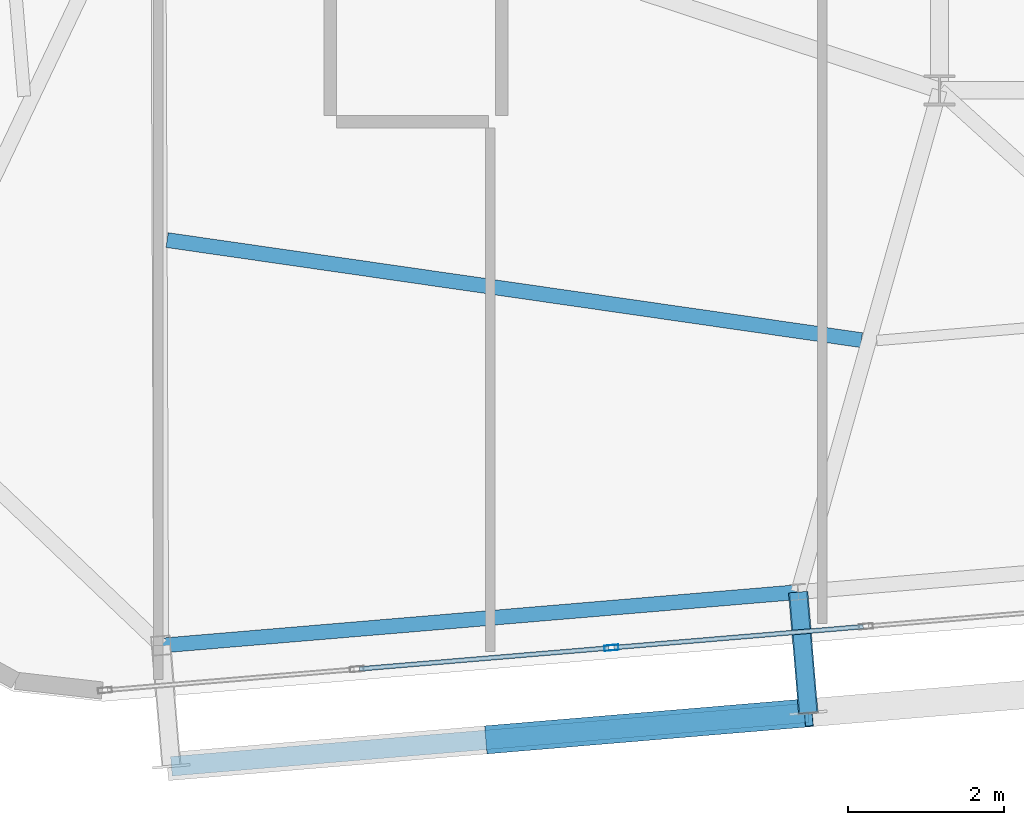
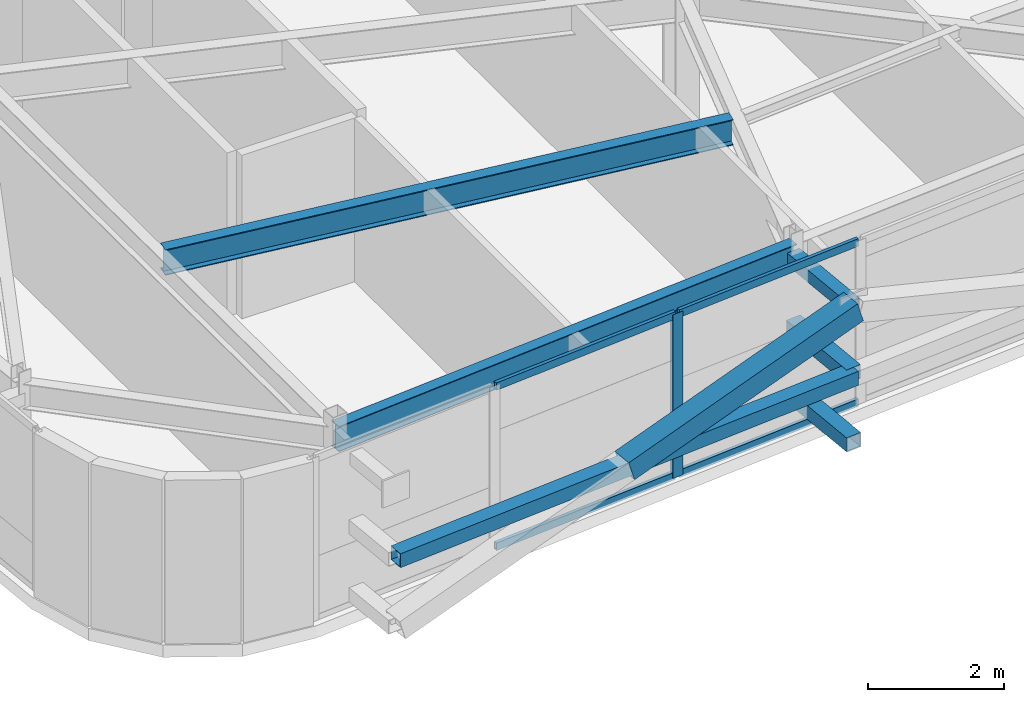
# One storey, part 8 of 44: 10 members, 2 beams, 1 element without a shape of its own.
"""IFC4 building model written with IfcOpenShell, lengths in metres."""

import ifcopenshell
import ifcopenshell.guid

model = None  # the IFC model being written
_history = None  # IfcOwnerHistory: only IFC2X3 demands one
_inside = {}  # id of a spatial element -> (the spatial element, [elements in it])
_under = {}  # id of a project, library or spatial element -> (it, [spatial elements below it])
_declared = {}  # id of a project -> (the project, [libraries it declares])
_typed = {}  # id of a type object -> (the type object, [elements of that type])
_made_of = {}  # id of a material, layer set ... -> (it, [elements and type objects made of it])


def new_model(schema):
    """Start an empty IFC model of exactly this schema.

    Asked for "IFC4X3", IfcOpenShell would pick the latest addendum, in which some entities
    have other attributes; the version numbers below select the first issue.
    IFC2X3 requires an IfcOwnerHistory on every rooted entity: one is made here for all.
    """
    global model, _history
    if schema == "IFC4X3":
        model = ifcopenshell.file(schema_version=(4, 3, 0, 0))
    else:
        model = ifcopenshell.file(schema=schema)
    _inside.clear()
    _under.clear()
    _declared.clear()
    _typed.clear()
    _made_of.clear()
    _history = None
    if model.schema == "IFC2X3":
        org = make("IfcOrganization", Name="unknown")
        user = make(
            "IfcPersonAndOrganization",
            ThePerson=make("IfcPerson", FamilyName="unknown"),
            TheOrganization=org,
        )
        app = make(
            "IfcApplication",
            ApplicationDeveloper=org,
            Version="unknown",
            ApplicationFullName="unknown",
            ApplicationIdentifier="unknown",
        )
        _history = make(
            "IfcOwnerHistory",
            OwningUser=user,
            OwningApplication=app,
            ChangeAction="ADDED",
            CreationDate=0,
        )
    return model


def make(cls, **values):
    """One entity of the class cls with the attributes given. An attribute that is None is left unset."""
    return model.create_entity(
        cls, **{name: value for name, value in values.items() if value is not None}
    )


def rooted(cls, **values):
    """An entity with a GlobalId (a new one), such as an element, a storey or a relation."""
    return make(cls, GlobalId=ifcopenshell.guid.new(), OwnerHistory=_history, **values)


def si_unit(unit_type, name, prefix=None):
    """IfcSIUnit, for example si_unit("LENGTHUNIT", "METRE", prefix="MILLI")."""
    return make("IfcSIUnit", UnitType=unit_type, Prefix=prefix, Name=name)


def assignment(units):
    """IfcUnitAssignment: the units of a project."""
    return None if units is None else make("IfcUnitAssignment", Units=units)


def point(xyz):
    """IfcCartesianPoint."""
    return None if xyz is None else make("IfcCartesianPoint", Coordinates=xyz)


def direction(xyz):
    """IfcDirection."""
    return None if xyz is None else make("IfcDirection", DirectionRatios=xyz)


def frame(location, z_axis=None, x_axis=None):
    """IfcAxis2Placement3D, a coordinate frame: its origin and axes. An axis left out is left unset."""
    return make(
        "IfcAxis2Placement3D",
        Location=point(location),
        Axis=direction(z_axis),
        RefDirection=direction(x_axis),
    )


def frame_2d(location, x_axis=None):
    """IfcAxis2Placement2D, a coordinate frame in the plane: its origin and x axis."""
    return make(
        "IfcAxis2Placement2D", Location=point(location), RefDirection=direction(x_axis)
    )


def origin():
    """The frame at (0, 0, 0) with its axes left unset."""
    return frame((0.0, 0.0, 0.0))


def origin_2d():
    """The frame at (0, 0) in the plane with its x axis left unset."""
    return frame_2d((0.0, 0.0))


def place(relative_to, where):
    """IfcLocalPlacement: puts the frame where relative to a parent placement (None: the world)."""
    return make(
        "IfcLocalPlacement", PlacementRelTo=relative_to, RelativePlacement=where
    )


def context(
    kind, dimensions, precision=None, world=None, true_north=None, identifier=None
):
    """IfcGeometricRepresentationContext, for example the 3D "Model" context."""
    return make(
        "IfcGeometricRepresentationContext",
        ContextIdentifier=identifier,
        ContextType=kind,
        CoordinateSpaceDimension=dimensions,
        Precision=precision,
        WorldCoordinateSystem=world,
        TrueNorth=true_north,
    )


def subcontext(parent, identifier, kind, view, scale=None):
    """IfcGeometricRepresentationSubContext, for example "Body" below "Model"."""
    return make(
        "IfcGeometricRepresentationSubContext",
        ContextIdentifier=identifier,
        ContextType=kind,
        ParentContext=parent,
        TargetScale=scale,
        TargetView=view,
    )


def project(units=None, contexts=None):
    """IfcProject with its units and contexts."""
    return rooted(
        "IfcProject",
        Name="project",
        RepresentationContexts=contexts,
        UnitsInContext=assignment(units),
    )


def spatial(cls, under=None, at=None, **own):
    """A site, building, storey or space (cls), placed at a placement, below another one or the project."""
    s = rooted(cls, ObjectPlacement=at, **own)
    if under is not None:
        _under.setdefault(under.id(), (under, []))[1].append(s)
    return s


def profile(cls, at=None, kind="AREA", **sizes):
    """A parametric profile (cls). Its sizes go by their IFC names, for example OverallWidth=200.0."""
    return make(cls, ProfileType=kind, Position=at, **sizes)


def hollow_rectangle(**sizes):
    """IfcRectangleHollowProfileDef."""
    return profile("IfcRectangleHollowProfileDef", **sizes)


def i_section(**sizes):
    """IfcIShapeProfileDef."""
    return profile("IfcIShapeProfileDef", **sizes)


def extrude(swept, where, along, depth):
    """IfcExtrudedAreaSolid: the profile swept, set in the frame where, extruded along a direction by depth."""
    return make(
        "IfcExtrudedAreaSolid",
        SweptArea=swept,
        Position=where,
        ExtrudedDirection=direction(along),
        Depth=depth,
    )


def shape(context_of_items, identifier, shape_type, items):
    """IfcShapeRepresentation: the items that make up one representation, for example the "Body"."""
    return make(
        "IfcShapeRepresentation",
        ContextOfItems=context_of_items,
        RepresentationIdentifier=identifier,
        RepresentationType=shape_type,
        Items=items,
    )


def source(mapping_origin, context_of_items, identifier, shape_type, items):
    """IfcRepresentationMap: a shape defined once, which mapped items show again and again."""
    return make(
        "IfcRepresentationMap",
        MappingOrigin=mapping_origin,
        MappedRepresentation=shape(context_of_items, identifier, shape_type, items),
    )


def transform(
    local_origin,
    x_axis=None,
    y_axis=None,
    z_axis=None,
    scale=None,
    scale2=None,
    scale3=None,
    uniform=True,
):
    """IfcCartesianTransformationOperator3D, or its non-uniform kind. x_axis, y_axis, z_axis: its Axis1, 2, 3."""
    if uniform:
        return make(
            "IfcCartesianTransformationOperator3D",
            Axis1=direction(x_axis),
            Axis2=direction(y_axis),
            LocalOrigin=point(local_origin),
            Scale=scale,
            Axis3=direction(z_axis),
        )
    return make(
        "IfcCartesianTransformationOperator3DnonUniform",
        Axis1=direction(x_axis),
        Axis2=direction(y_axis),
        LocalOrigin=point(local_origin),
        Scale=scale,
        Axis3=direction(z_axis),
        Scale2=scale2,
        Scale3=scale3,
    )


def mapped(mapping_source, mapping_target):
    """IfcMappedItem: shows the shape of a source again, moved by a transform."""
    return make(
        "IfcMappedItem", MappingSource=mapping_source, MappingTarget=mapping_target
    )


def material(Name=None, Category=None):
    """IfcMaterial."""
    return make("IfcMaterial", Name=Name, Category=Category)


def layer(
    of_material, thickness, ventilated=None, Name=None, Category=None, Priority=None
):
    """IfcMaterialLayer: one layer of a wall or slab, of a material (None: an air gap)."""
    return make(
        "IfcMaterialLayer",
        Material=of_material,
        LayerThickness=thickness,
        IsVentilated=ventilated,
        Name=Name,
        Category=Category,
        Priority=Priority,
    )


def layer_set(layers, Name=None):
    """IfcMaterialLayerSet."""
    return make("IfcMaterialLayerSet", MaterialLayers=layers, LayerSetName=Name)


def material_profile(
    of_material, cross_section, Name=None, Category=None, Priority=None
):
    """IfcMaterialProfile: a cross section and its material."""
    return make(
        "IfcMaterialProfile",
        Name=Name,
        Material=of_material,
        Profile=cross_section,
        Priority=Priority,
        Category=Category,
    )


def profile_set(profiles, Name=None, composite=None):
    """IfcMaterialProfileSet."""
    return make(
        "IfcMaterialProfileSet",
        Name=Name,
        MaterialProfiles=profiles,
        CompositeProfile=composite,
    )


def made_of(thing, what):
    """Note that an element or type object is made of a material, layer set ...; save() writes the relation."""
    if what is not None:
        _made_of.setdefault(what.id(), (what, []))[1].append(thing)
    return thing


def type_object(cls, material=None, **own):
    """A type object (cls), such as IfcWallType, which elements share."""
    return made_of(rooted(cls, **own), material)


def element(
    cls,
    number,
    at=None,
    inside=None,
    cuts=None,
    type_object=None,
    material=None,
    context=None,
    identifier="Body",
    shape_type=None,
    held_by="IfcProductDefinitionShape",
    body=None,
    shapes=None,
    **own,
):
    """One element of the class cls, such as IfcWall. Its Tag is "e" and its number.

    at: its placement. inside: the storey or other place that contains it. cuts: it is an
    opening in that element (IfcRelVoidsElement). A single representation is given by context,
    identifier, shape_type and body (its items); several are given by shapes. held_by: the class
    of the entity that holds the representations. save() writes the other relations.
    """
    e = rooted(cls, Tag="e%d" % number, ObjectPlacement=at, **own)
    if body is not None:
        shapes = [shape(context, identifier, shape_type, body)]
    if shapes is not None:
        e.Representation = make(held_by, Representations=shapes)
    if inside is not None:
        _inside.setdefault(inside.id(), (inside, []))[1].append(e)
    if cuts is not None:
        rooted(
            "IfcRelVoidsElement", RelatingBuildingElement=cuts, RelatedOpeningElement=e
        )
    if type_object is not None:
        _typed.setdefault(type_object.id(), (type_object, []))[1].append(e)
    return made_of(e, material)


def aggregate(whole, parts):
    """IfcRelAggregates: a whole, such as a stair, and the parts it consists of."""
    return rooted("IfcRelAggregates", RelatingObject=whole, RelatedObjects=parts)


def save(model, path):
    """Write the relations noted so far, then the file.

    IfcRelAggregates (storeys below a building ...), IfcRelContainedInSpatialStructure (elements
    in a storey), IfcRelDefinesByType, IfcRelAssociatesMaterial and IfcRelDeclares: one each for
    every whole, place, type object, material and project.
    """
    for whole, parts in _under.values():
        aggregate(whole, parts)
    for where, things in _inside.values():
        rooted(
            "IfcRelContainedInSpatialStructure",
            RelatedElements=things,
            RelatingStructure=where,
        )
    for kind, things in _typed.values():
        rooted("IfcRelDefinesByType", RelatedObjects=things, RelatingType=kind)
    for what, things in _made_of.values():
        rooted("IfcRelAssociatesMaterial", RelatedObjects=things, RelatingMaterial=what)
    for by, libraries in _declared.values():
        rooted("IfcRelDeclares", RelatingContext=by, RelatedDefinitions=libraries)
    model.write(path)


model = new_model("IFC4")

# Units and contexts
model_context = context("Model", 3, precision=1e-05, world=origin(), true_north=direction((0.0, 1.0)))
body_context = subcontext(model_context, "Body", "Model", "MODEL_VIEW")
ifc_project = project(units=[si_unit("LENGTHUNIT", "METRE"), si_unit("AREAUNIT", "SQUARE_METRE"), si_unit("VOLUMEUNIT", "CUBIC_METRE"), si_unit("PLANEANGLEUNIT", "RADIAN"), si_unit("MASSUNIT", "GRAM", prefix="KILO")], contexts=[model_context])

# Site, building, storey
site_placement = place(None, origin())
site = spatial("IfcSite", under=ifc_project, at=site_placement, CompositionType="ELEMENT")
building_placement = place(site_placement, origin())
building = spatial("IfcBuilding", under=site, at=building_placement, Name="Taldren Reach Tower", CompositionType="ELEMENT")
storey_placement = place(building_placement, frame((0.0, 0.0, 191.449951171875)))
storey = spatial("IfcBuildingStorey", under=building, at=storey_placement, Name="L58", CompositionType="ELEMENT", Elevation=191.449951171875)

# Members
ifc_material_1 = material(Name="Steel Gr 350 (C350L0)", Category="steel")
ifc_material_profile_1 = material_profile(ifc_material_1, hollow_rectangle(XDim=0.25, YDim=0.25, WallThickness=0.010009765625, at=origin_2d()), Name="250x250x10.0SHS")
ifc_profile_set_1 = profile_set([ifc_material_profile_1], Name="Steel Gr 350 (C350L0)")
member_type_1 = type_object("IfcMemberType", Name="MB-POST250", PredefinedType="POST", material=ifc_profile_set_1)
shared_shape_1 = source(origin(), body_context, "Body", "SweptSolid", [
    extrude(hollow_rectangle(XDim=0.25, YDim=0.25, WallThickness=0.010009765625, at=origin_2d()), origin(), (0.0, 0.0, 1.0), 1.550048828125),
])
for number, where, z_axis, x_axis, name in (
    (1, (26.19091796875, 2.778564453125, 0.219970703125), (0.083632013783, -0.996496706603, 0.0), (0.996496706603, 0.083632013783, 0.0), "Exoskeleton base diaphragm tie strut B4-S2 L58"),
    (2, (26.19091796875, 2.778564453125, 1.43505859375), (0.083632013783, -0.996496706603, 0.0), (0.996496706603, 0.083632013783, 0.0), "Exoskeleton mid-tier diaphragm tie B4-S2 L58"),
):
    element("IfcMember", number, at=place(storey_placement, frame(where, z_axis=z_axis, x_axis=x_axis)), inside=storey, type_object=member_type_1, Name=name, PredefinedType="POST", context=body_context, shape_type="MappedRepresentation", body=[
        mapped(shared_shape_1, transform((0.0, 0.0, 0.0), scale=1.0)),
    ])

# Beams
ifc_material_2 = material(Name="Steel Gr 350 (350PLUS)", Category="steel")
ifc_material_profile_2 = material_profile(ifc_material_2, i_section(OverallWidth=0.18994140625, OverallDepth=0.4541015625, WebThickness=0.008544921875, FlangeThickness=0.0126953125, at=origin_2d()), Name="460UB67.1")
ifc_profile_set_2 = profile_set([ifc_material_profile_2], Name="Steel Gr 350 (350PLUS)")
beam_type_1 = type_object("IfcBeamType", Name="SP-UB460B", PredefinedType="SPANDREL", material=ifc_profile_set_2)
shared_shape_2 = source(origin(), body_context, "Body", "SweptSolid", [
    extrude(i_section(OverallWidth=0.18994140625, OverallDepth=0.4541015625, WebThickness=0.008544921875, FlangeThickness=0.0126953125, at=origin_2d()), origin(), (0.0, 0.0, 1.0), 8.18017578125),
])
beam_1_placement = place(storey_placement, frame((18.03955078125, 2.093994140625, 2.703125), z_axis=(0.996492034688, 0.083687662192, 0.0), x_axis=(-0.083687662192, 0.996492034688, 0.0)))
element("IfcBeam", 3, at=beam_1_placement, inside=storey, type_object=beam_type_1, Name="Perimeter spandrel B4 S1-S2 L58", PredefinedType="SPANDREL", context=body_context, shape_type="MappedRepresentation", body=[
    mapped(shared_shape_2, transform((0.0, 0.0, 0.0), scale=1.0)),
])
ifc_material_profile_3 = material_profile(ifc_material_2, i_section(OverallWidth=0.19091796875, OverallDepth=0.4599609375, WebThickness=0.010009765625, FlangeThickness=0.01611328125, at=origin_2d()), Name="460UB82.1")
ifc_profile_set_3 = profile_set([ifc_material_profile_3], Name="Steel Gr 350 (350PLUS)")
beam_type_2 = type_object("IfcBeamType", Name="BM-UB460A", PredefinedType="BEAM", material=ifc_profile_set_3)
shared_shape_3 = source(origin(), body_context, "Body", "SweptSolid", [
    extrude(i_section(OverallWidth=0.19091796875, OverallDepth=0.4599609375, WebThickness=0.010009765625, FlangeThickness=0.01611328125, at=origin_2d()), origin(), (0.0, 0.0, 1.0), 8.9765625),
])
beam_2_placement = place(storey_placement, frame((18.115478515625, 7.283203125, 2.699951171875), z_axis=(0.989776873291, -0.142624475806, 0.0), x_axis=(0.142624475806, 0.989776873291, 0.0)))
element("IfcBeam", 4, at=beam_2_placement, inside=storey, type_object=beam_type_2, Name="Secondary floor beam B4 J1 L58", PredefinedType="BEAM", context=body_context, shape_type="MappedRepresentation", body=[
    mapped(shared_shape_3, transform((0.0, 0.0, 0.0), scale=1.0)),
])

# Members
ifc_material_3 = material(Name="Steel Gr 450 (C450L0)", Category="steel")
ifc_material_profile_4 = material_profile(ifc_material_3, hollow_rectangle(XDim=0.219970703125, YDim=0.219970703125, WallThickness=0.00830078125, at=origin_2d()), Name="220x220x8.2SHS")
ifc_profile_set_4 = profile_set([ifc_material_profile_4], Name="Steel Gr 450 (C450L0)")
member_type_2 = type_object("IfcMemberType", Name="MB-TIE219", PredefinedType="STRUT", material=ifc_profile_set_4)
shared_shape_4 = source(origin(), body_context, "Body", "SweptSolid", [
    extrude(hollow_rectangle(XDim=0.219970703125, YDim=0.219970703125, WallThickness=0.00830078125, at=origin_2d()), origin(), (0.0, 0.0, 1.0), 1.550048828125),
])
member_1_placement = place(storey_placement, frame((26.19091796875, 2.778564453125, 2.650146484375), z_axis=(0.083632013783, -0.996496706603, 0.0), x_axis=(0.996496706603, 0.083632013783, 0.0)))
element("IfcMember", 5, at=member_1_placement, inside=storey, type_object=member_type_2, Name="Exoskeleton diaphragm tie strut B4-S2 L58", PredefinedType="STRUT", context=body_context, shape_type="MappedRepresentation", body=[
    mapped(shared_shape_4, transform((0.0, 0.0, 0.0), scale=1.0)),
])
shared_shape_5 = source(origin(), body_context, "Body", "SweptSolid", [
    extrude(hollow_rectangle(XDim=0.25, YDim=0.25, WallThickness=0.010009765625, at=origin_2d()), origin(), (0.0, 0.0, 1.0), 8.1796875),
])
member_2_placement = place(storey_placement, frame((18.16943359375, 0.549560546875, 1.43505859375), z_axis=(0.996494314327, 0.083660513465, 0.0), x_axis=(-0.083660513465, 0.996494314327, 0.0)))
element("IfcMember", 6, at=member_2_placement, inside=storey, type_object=member_type_1, Name="Exoskeleton mid-height ring chord B4-S1 L58", PredefinedType="POST", context=body_context, shape_type="MappedRepresentation", body=[
    mapped(shared_shape_5, transform((0.0, 0.0, 0.0), scale=1.0)),
])
ifc_material_profile_5 = material_profile(ifc_material_3, hollow_rectangle(XDim=0.360107421875, YDim=0.360107421875, WallThickness=0.0126953125, at=origin_2d()), Name="360x360x12.7SHS")
ifc_profile_set_5 = profile_set([ifc_material_profile_5], Name="Steel Gr 450 (C450L0)")
member_type_3 = type_object("IfcMemberType", Name="MB-EXO356", PredefinedType="BRACE", material=ifc_profile_set_5)
shared_shape_6 = source(origin(), body_context, "Body", "SweptSolid", [
    extrude(hollow_rectangle(XDim=0.360107421875, YDim=0.360107421875, WallThickness=0.0126953125, at=origin_2d()), origin(), (0.0, 0.0, 1.0), 4.266357421875),
])
member_3_placement = place(storey_placement, frame((22.2451171875, 0.8916015625, 1.43505859375), z_axis=(0.955224149813, 0.080226697301, 0.284799053113), x_axis=(-0.083692640416, 0.996491616593, 0.0)))
element("IfcMember", 7, at=member_3_placement, inside=storey, type_object=member_type_3, Name="Exoskeleton Diagrid Brace B4-S1 L58", PredefinedType="BRACE", context=body_context, shape_type="MappedRepresentation", body=[
    mapped(shared_shape_6, transform((0.0, 0.0, 0.0), scale=1.0)),
])

# Curtain wall, members
ifc_material_4 = material(Name="Aluminium and Low-E Glass Unitised System", Category="aluminium")
ifc_layer = layer(ifc_material_4, 0.159912109375)
ifc_layer_set = layer_set([ifc_layer], Name="Aluminium and Low-E Glass Unitised System")
curtain_wall_type = type_object("IfcCurtainWallType", Name="CW-SYS-5", PredefinedType="NOTDEFINED", material=ifc_layer_set)
curtain_wall_placement = place(storey_placement, origin())
curtain_wall = element("IfcCurtainWall", 8, at=curtain_wall_placement, inside=storey, type_object=curtain_wall_type, Name="Unitised curtain wall CW-L58-S", PredefinedType="NOTDEFINED")
ifc_material_5 = material(Name="Anodised Aluminium 6063-T6", Category="aluminium")
ifc_material_profile_6 = material_profile(ifc_material_5, hollow_rectangle(XDim=0.070068359375, YDim=0.179931640625, WallThickness=0.00390625, at=origin_2d()), Name="ALU-180x70x4RHS")
ifc_profile_set_6 = profile_set([ifc_material_profile_6], Name="Anodised Aluminium 6063-T6")
member_type_4 = type_object("IfcMemberType", Name="CW-MUL-180", PredefinedType="MULLION", material=ifc_profile_set_6)
shared_shape_7 = source(origin(), body_context, "Body", "SweptSolid", [
    extrude(hollow_rectangle(XDim=0.070068359375, YDim=0.179931640625, WallThickness=0.00390625, at=origin_2d()), origin(), (0.0, 0.0, 1.0), 2.929931640625),
])
member_4_placement = place(storey_placement, frame((23.80078125, 2.06591796875, 0.0), z_axis=(0.0, 0.0, 1.0), x_axis=(-0.083677894865, 0.996492854922, 0.0)))
member_4 = element("IfcMember", 9, at=member_4_placement, type_object=member_type_4, Name="CW-5 mullion 3", PredefinedType="MULLION", context=body_context, shape_type="MappedRepresentation", body=[
    mapped(shared_shape_7, transform((0.0, 0.0, 0.0), scale=1.0)),
])
ifc_material_profile_7 = material_profile(ifc_material_5, hollow_rectangle(XDim=0.06005859375, YDim=0.135009765625, WallThickness=0.00341796875, at=origin_2d()), Name="ALU-135x60x3.5RHS")
ifc_profile_set_7 = profile_set([ifc_material_profile_7], Name="Anodised Aluminium 6063-T6")
member_type_5 = type_object("IfcMemberType", Name="CW-TRN-150", PredefinedType="USERDEFINED", material=ifc_profile_set_7)
shared_shape_8 = source(origin(), body_context, "Body", "SweptSolid", [
    extrude(hollow_rectangle(XDim=0.06005859375, YDim=0.135009765625, WallThickness=0.00341796875, at=origin_2d()), origin(), (0.0, 0.0, 1.0), 3.19921875),
])
member_5_placement = place(storey_placement, frame((20.577880859375, 1.79541015625, 0.030029296875), z_axis=(0.996496109493, 0.083639128198, 0.0), x_axis=(-0.083639128198, 0.996496109493, 0.0)))
member_5 = element("IfcMember", 10, at=member_5_placement, type_object=member_type_5, Name="CW-5 transom 2.1", ObjectType="TRANSOM", PredefinedType="USERDEFINED", context=body_context, shape_type="MappedRepresentation", body=[
    mapped(shared_shape_8, transform((0.0, 0.0, 0.0), scale=1.0)),
])
member_6_placement = place(storey_placement, frame((20.577880859375, 1.79541015625, 2.900146484375), z_axis=(0.996496109493, 0.083639128198, 0.0), x_axis=(-0.083639128198, 0.996496109493, 0.0)))
member_6 = element("IfcMember", 11, at=member_6_placement, type_object=member_type_5, Name="CW-5 transom 2.2", ObjectType="TRANSOM", PredefinedType="USERDEFINED", context=body_context, shape_type="MappedRepresentation", body=[
    mapped(shared_shape_8, transform((0.0, 0.0, 0.0), scale=1.0)),
])
member_7_placement = place(storey_placement, frame((23.83544921875, 2.06884765625, 0.030029296875), z_axis=(0.996489746258, 0.083714906697, 0.0), x_axis=(-0.083714906697, 0.996489746258, 0.0)))
member_7 = element("IfcMember", 12, at=member_7_placement, type_object=member_type_5, Name="CW-5 transom 3.1", ObjectType="TRANSOM", PredefinedType="USERDEFINED", context=body_context, shape_type="MappedRepresentation", body=[
    mapped(shared_shape_8, transform((0.0, 0.0, 0.0), scale=1.0)),
])
member_8_placement = place(storey_placement, frame((23.83544921875, 2.06884765625, 2.900146484375), z_axis=(0.996489746258, 0.083714906697, 0.0), x_axis=(-0.083714906697, 0.996489746258, 0.0)))
member_8 = element("IfcMember", 13, at=member_8_placement, type_object=member_type_5, Name="CW-5 transom 3.2", ObjectType="TRANSOM", PredefinedType="USERDEFINED", context=body_context, shape_type="MappedRepresentation", body=[
    mapped(shared_shape_8, transform((0.0, 0.0, 0.0), scale=1.0)),
])
aggregate(curtain_wall, [member_4, member_5, member_6, member_7, member_8])

save(model, "model.ifc")
